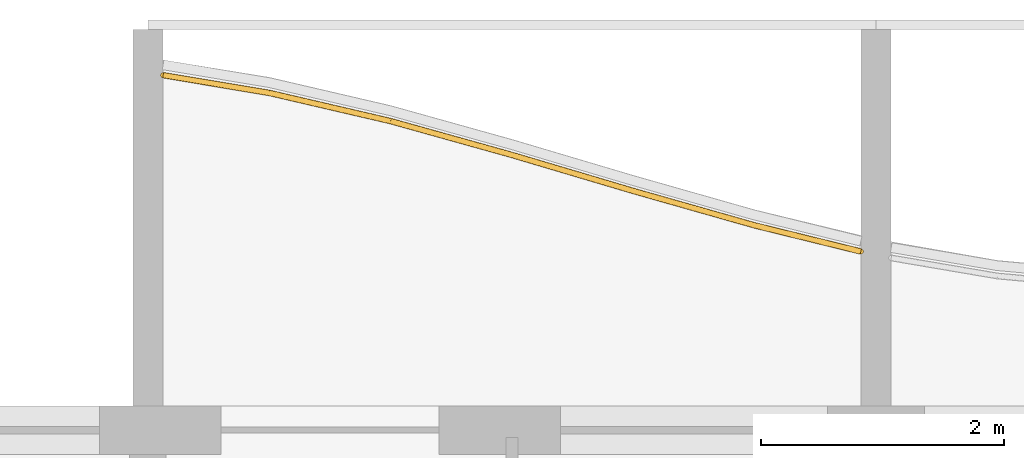
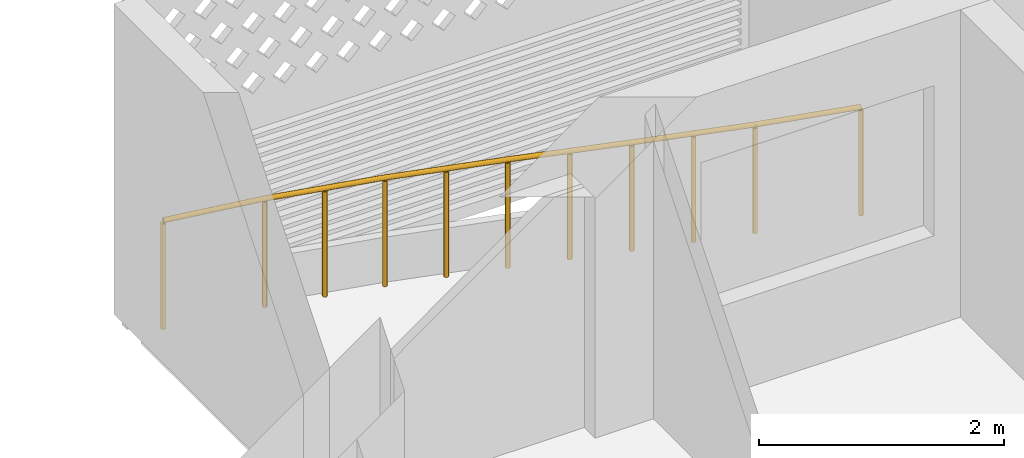
# One storey, part 20 of 33: 1 railing.
"""IFC4 building model written with IfcOpenShell, lengths in metres."""

from ifc_helpers import new_model, si_unit, direction, frame, origin, origin_2d, place, context, subcontext, project, spatial, circle, extrude, material, type_object, element, save


model = new_model("IFC4")

# Units and contexts
model_context = context("Model", 3, precision=1e-05, world=origin(), true_north=direction((0.0, 1.0)))
body_context = subcontext(model_context, "Body", "Model", "MODEL_VIEW")
ifc_project = project(units=[si_unit("LENGTHUNIT", "METRE"), si_unit("AREAUNIT", "SQUARE_METRE"), si_unit("VOLUMEUNIT", "CUBIC_METRE"), si_unit("PLANEANGLEUNIT", "RADIAN"), si_unit("MASSUNIT", "GRAM", prefix="KILO")], contexts=[model_context])

# Site, building, storey
site_placement = place(None, origin())
site = spatial("IfcSite", under=ifc_project, at=site_placement, CompositionType="ELEMENT")
building_placement = place(site_placement, origin())
building = spatial("IfcBuilding", under=site, at=building_placement, Name="Poui Terraces", CompositionType="ELEMENT")
storey_placement = place(building_placement, frame((0.0, 0.0, 135.60009765625)))
storey = spatial("IfcBuildingStorey", under=building, at=storey_placement, Name="L37", CompositionType="ELEMENT", Elevation=135.60009765625)

# Railing
ifc_material = material(Name="Painted steel fretwork", Category="steel")
railing_type = type_object("IfcRailingType", Name="BALCONY GUARD 1100", PredefinedType="GUARDRAIL", material=ifc_material)
railing_placement = place(storey_placement, frame((30.125, 45.3251953125, 0.0)))
element("IfcRailing", 1, at=railing_placement, inside=storey, type_object=railing_type, Name="BALCONY GUARD", PredefinedType="GUARDRAIL", context=body_context, shape_type="SweptSolid", body=[
    extrude(circle(Radius=0.02392578125, at=origin_2d()), frame((0.0, 0.0, 1.076171875), z_axis=(0.986364154898, -0.164577501292, 0.0), x_axis=(0.164577501292, 0.986364154898, 0.0)), (0.0, 0.0, 1.0), 0.88720703125),
    extrude(circle(Radius=0.02392578125, at=origin_2d()), frame((0.875, -0.14599609375, 1.076171875), z_axis=(0.974037301865, -0.226387576019, 0.0), x_axis=(0.226387576019, 0.974037301865, 0.0)), (0.0, 0.0, 1.0), 1.026611328125),
    extrude(circle(Radius=0.02392578125, at=origin_2d()), frame((1.875, -0.37841796875, 1.076171875), z_axis=(0.963200548895, -0.268783746921, 0.0), x_axis=(0.268783746921, 0.963200548895, 0.0)), (0.0, 0.0, 1.0), 1.0380859375),
    extrude(circle(Radius=0.02392578125, at=origin_2d()), frame((2.875, -0.657470703125, 1.076171875), z_axis=(0.958710700624, -0.284383179018, 0.0), x_axis=(0.284383179018, 0.958710700624, 0.0)), (0.0, 0.0, 1.0), 1.04296875),
    extrude(circle(Radius=0.02392578125, at=origin_2d()), frame((3.875, -0.9541015625, 1.076171875), z_axis=(0.962036324093, -0.272921437645, 0.0), x_axis=(0.272921437645, 0.962036324093, 0.0)), (0.0, 0.0, 1.0), 1.03955078125),
    extrude(circle(Radius=0.02392578125, at=origin_2d()), frame((4.875, -1.23779296875, 1.076171875), z_axis=(0.971091259347, -0.238708537803, 0.0), x_axis=(0.238708537803, 0.971091259347, 0.0)), (0.0, 0.0, 1.0), 0.901123046875),
    extrude(circle(Radius=0.02099609375, at=origin_2d()), origin(), (0.0, 0.0, 1.0), 1.052001953125),
    extrude(circle(Radius=0.02099609375, at=origin_2d()), frame((0.875, -0.14599609375, 0.0)), (0.0, 0.0, 1.0), 1.052001953125),
    extrude(circle(Radius=0.02099609375, at=origin_2d()), frame((1.375, -0.26220703125, 0.0)), (0.0, 0.0, 1.0), 1.052001953125),
    extrude(circle(Radius=0.02099609375, at=origin_2d()), frame((1.875, -0.37841796875, 0.0)), (0.0, 0.0, 1.0), 1.052001953125),
    extrude(circle(Radius=0.02099609375, at=origin_2d()), frame((2.375, -0.51806640625, 0.0)), (0.0, 0.0, 1.0), 1.052001953125),
    extrude(circle(Radius=0.02099609375, at=origin_2d()), frame((2.875, -0.657470703125, 0.0)), (0.0, 0.0, 1.0), 1.052001953125),
    extrude(circle(Radius=0.02099609375, at=origin_2d()), frame((3.375, -0.8056640625, 0.0)), (0.0, 0.0, 1.0), 1.052001953125),
    extrude(circle(Radius=0.02099609375, at=origin_2d()), frame((3.875, -0.9541015625, 0.0)), (0.0, 0.0, 1.0), 1.052001953125),
    extrude(circle(Radius=0.02099609375, at=origin_2d()), frame((4.375, -1.095947265625, 0.0)), (0.0, 0.0, 1.0), 1.052001953125),
    extrude(circle(Radius=0.02099609375, at=origin_2d()), frame((4.875, -1.23779296875, 0.0)), (0.0, 0.0, 1.0), 1.052001953125),
    extrude(circle(Radius=0.02099609375, at=origin_2d()), frame((5.75, -1.452880859375, 0.0)), (0.0, 0.0, 1.0), 1.052001953125),
])

save(model, "model.ifc")
